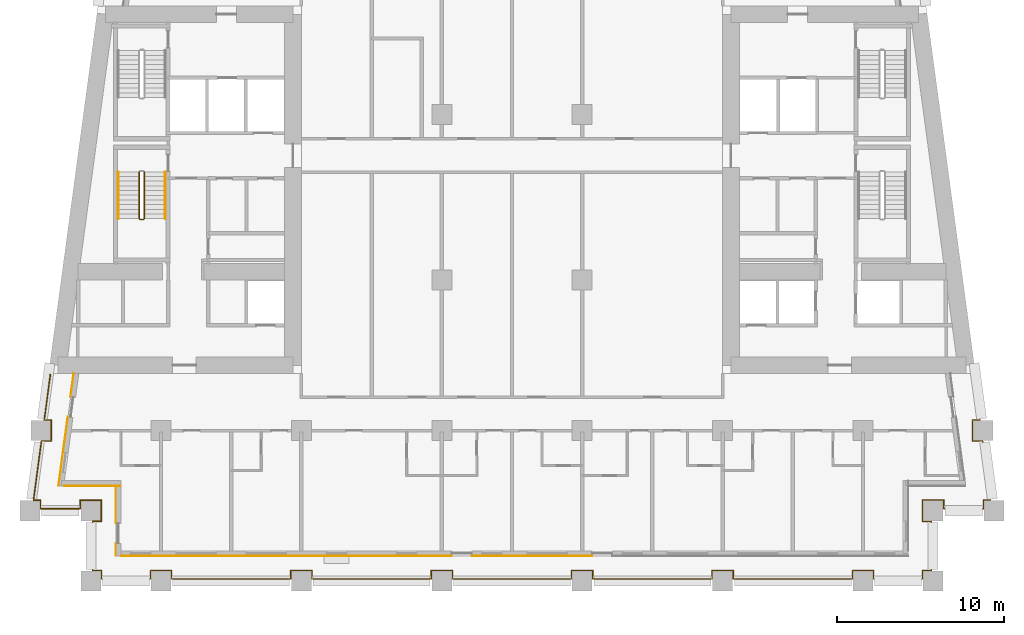
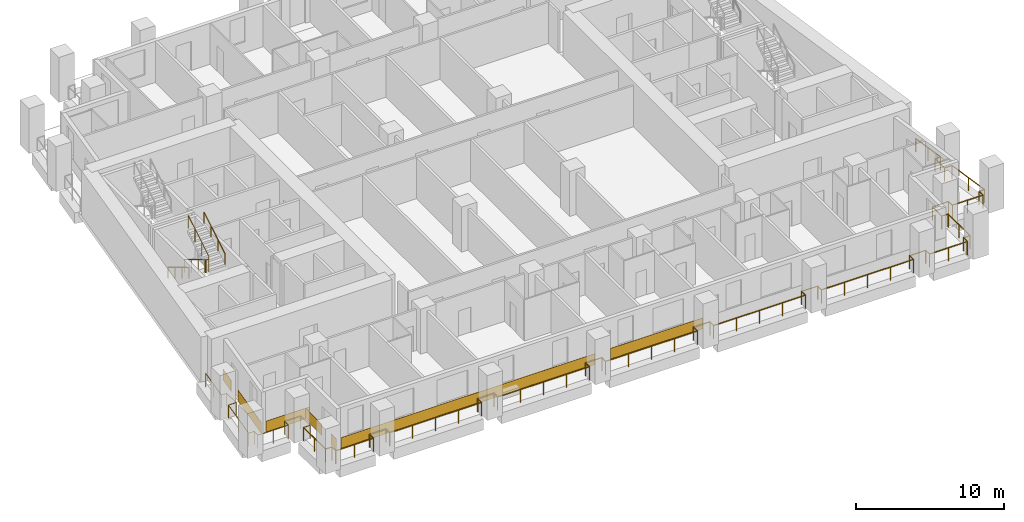
# One storey, part 9 of 13: 7 coverings, 5 railings.
"""IFC4 building model written with IfcOpenShell, lengths in metres."""

from ifc_helpers import new_model, si_unit, direction, frame, origin, origin_2d, place, context, subcontext, project, spatial, rectangle, circle, extrude, material, layer, layer_set, type_object, element, save


model = new_model("IFC4")

# Units and contexts
model_context = context("Model", 3, precision=1e-05, world=origin(), true_north=direction((0.0, 1.0)))
body_context = subcontext(model_context, "Body", "Model", "MODEL_VIEW")
ifc_project = project(units=[si_unit("LENGTHUNIT", "METRE"), si_unit("AREAUNIT", "SQUARE_METRE"), si_unit("VOLUMEUNIT", "CUBIC_METRE"), si_unit("PLANEANGLEUNIT", "RADIAN"), si_unit("MASSUNIT", "GRAM", prefix="KILO")], contexts=[model_context])

# Site, building, storey
site_placement = place(None, origin())
site = spatial("IfcSite", under=ifc_project, at=site_placement, CompositionType="ELEMENT")
building_placement = place(site_placement, origin())
building = spatial("IfcBuilding", under=site, at=building_placement, Name="Candeia Pilgrim Tower and Theatre", CompositionType="ELEMENT")
storey_placement = place(building_placement, frame((0.0, 0.0, 91.0)))
storey = spatial("IfcBuildingStorey", under=building, at=storey_placement, Name="L20", CompositionType="ELEMENT", Elevation=91.0)

# Railings
ifc_material_1 = material(Name="Stainless steel balustrade", Category="steel")
railing_type_1 = type_object("IfcRailingType", Name="G1 loggia guard 1100", PredefinedType="GUARDRAIL", material=ifc_material_1)
railing_1_placement = place(storey_placement, frame((88.320068359375, 101.570068359375, 0.0)))
element("IfcRailing", 1, at=railing_1_placement, inside=storey, type_object=railing_type_1, Name="Guard L20.1", PredefinedType="GUARDRAIL", context=body_context, shape_type="SweptSolid", body=[
    extrude(circle(Radius=0.02392578125, at=origin_2d()), frame((0.0, 0.0, 1.076171875), z_axis=(1.0, 0.0, 0.0), x_axis=(0.0, 1.0, 0.0)), (0.0, 0.0, 1.0), 0.510009765625),
    extrude(circle(Radius=0.02392578125, at=origin_2d()), frame((0.510009765625, 0.0, 1.076171875), z_axis=(0.0, 1.0, 0.0), x_axis=(-1.0, 0.0, 0.0)), (0.0, 0.0, 1.0), 1.260009765625),
    extrude(circle(Radius=0.02392578125, at=origin_2d()), frame((0.510009765625, 1.260009765625, 1.076171875), z_axis=(-1.0, 0.0, 0.0), x_axis=(0.0, -1.0, 0.0)), (0.0, 0.0, 1.0), 1.260009765625),
    extrude(circle(Radius=0.02392578125, at=origin_2d()), frame((-0.75, 1.260009765625, 1.076171875), z_axis=(0.0, -1.0, 0.0), x_axis=(1.0, 0.0, 0.0)), (0.0, 0.0, 1.0), 0.510009765625),
    extrude(circle(Radius=0.02392578125, at=origin_2d()), frame((-0.75, 0.75, 1.076171875), z_axis=(-1.0, 0.0, 0.0), x_axis=(0.0, -1.0, 0.0)), (0.0, 0.0, 1.0), 2.374755859375),
    extrude(circle(Radius=0.02392578125, at=origin_2d()), frame((-3.124755859375, 0.75, 1.076171875), z_axis=(0.0, 1.0, 0.0), x_axis=(-1.0, 0.0, 0.0)), (0.0, 0.0, 1.0), 0.510009765625),
    extrude(circle(Radius=0.02392578125, at=origin_2d()), frame((-3.124755859375, 1.260009765625, 1.076171875), z_axis=(-1.0, 0.0, 0.0), x_axis=(0.0, -1.0, 0.0)), (0.0, 0.0, 1.0), 0.424072265625),
    extrude(circle(Radius=0.02392578125, at=origin_2d()), frame((-3.548828125, 1.260009765625, 1.076171875), z_axis=(0.133417176173, 0.991059966451, 0.0), x_axis=(-0.991059966451, 0.133417176173, 0.0)), (0.0, 0.0, 1.0), 3.572021484375),
    extrude(circle(Radius=0.02392578125, at=origin_2d()), frame((-3.072265625, 4.800048828125, 1.076171875), z_axis=(1.0, 0.0, 0.0), x_axis=(0.0, 1.0, 0.0)), (0.0, 0.0, 1.0), 0.59375),
    extrude(circle(Radius=0.02392578125, at=origin_2d()), frame((-2.478515625, 4.800048828125, 1.076171875), z_axis=(0.0, 1.0, 0.0), x_axis=(-1.0, 0.0, 0.0)), (0.0, 0.0, 1.0), 1.259765625),
    extrude(circle(Radius=0.02392578125, at=origin_2d()), frame((-2.478515625, 6.059814453125, 1.076171875), z_axis=(-1.0, 0.0, 0.0), x_axis=(0.0, -1.0, 0.0)), (0.0, 0.0, 1.0), 0.424072265625),
    extrude(circle(Radius=0.02392578125, at=origin_2d()), frame((-2.902587890625, 6.059814453125, 1.076171875), z_axis=(0.1334220927, 0.991059304572, 0.0), x_axis=(-0.991059304572, 0.1334220927, 0.0)), (0.0, 0.0, 1.0), 2.744873046875),
    extrude(circle(Radius=0.02099609375, at=origin_2d()), origin(), (0.0, 0.0, 1.0), 1.052001953125),
    extrude(circle(Radius=0.02099609375, at=origin_2d()), frame((0.510009765625, 0.0, 0.0)), (0.0, 0.0, 1.0), 1.052001953125),
    extrude(circle(Radius=0.02099609375, at=origin_2d()), frame((0.510009765625, 1.260009765625, 0.0)), (0.0, 0.0, 1.0), 1.052001953125),
    extrude(circle(Radius=0.02099609375, at=origin_2d()), frame((-0.75, 1.260009765625, 0.0)), (0.0, 0.0, 1.0), 1.052001953125),
    extrude(circle(Radius=0.02099609375, at=origin_2d()), frame((-0.75, 0.75, 0.0)), (0.0, 0.0, 1.0), 1.052001953125),
    extrude(circle(Radius=0.02099609375, at=origin_2d()), frame((-1.9375, 0.75, 0.0)), (0.0, 0.0, 1.0), 1.052001953125),
    extrude(circle(Radius=0.02099609375, at=origin_2d()), frame((-3.124755859375, 0.75, 0.0)), (0.0, 0.0, 1.0), 1.052001953125),
    extrude(circle(Radius=0.02099609375, at=origin_2d()), frame((-3.124755859375, 1.260009765625, 0.0)), (0.0, 0.0, 1.0), 1.052001953125),
    extrude(circle(Radius=0.02099609375, at=origin_2d()), frame((-3.548828125, 1.260009765625, 0.0)), (0.0, 0.0, 1.0), 1.052001953125),
    extrude(circle(Radius=0.02099609375, at=origin_2d()), frame((-3.310546875, 3.030029296875, 0.0)), (0.0, 0.0, 1.0), 1.052001953125),
    extrude(circle(Radius=0.02099609375, at=origin_2d()), frame((-3.072265625, 4.800048828125, 0.0)), (0.0, 0.0, 1.0), 1.052001953125),
    extrude(circle(Radius=0.02099609375, at=origin_2d()), frame((-2.478515625, 4.800048828125, 0.0)), (0.0, 0.0, 1.0), 1.052001953125),
    extrude(circle(Radius=0.02099609375, at=origin_2d()), frame((-2.478515625, 6.059814453125, 0.0)), (0.0, 0.0, 1.0), 1.052001953125),
    extrude(circle(Radius=0.02099609375, at=origin_2d()), frame((-2.902587890625, 6.059814453125, 0.0)), (0.0, 0.0, 1.0), 1.052001953125),
    extrude(circle(Radius=0.02099609375, at=origin_2d()), frame((-2.719482421875, 7.419921875, 0.0)), (0.0, 0.0, 1.0), 1.052001953125),
    extrude(circle(Radius=0.02099609375, at=origin_2d()), frame((-2.536376953125, 8.780029296875, 0.0)), (0.0, 0.0, 1.0), 1.052001953125),
])
railing_2_placement = place(storey_placement, frame((141.016357421875, 110.35009765625, 0.0)))
element("IfcRailing", 2, at=railing_2_placement, inside=storey, type_object=railing_type_1, Name="Guard L20.4", PredefinedType="GUARDRAIL", context=body_context, shape_type="SweptSolid", body=[
    extrude(circle(Radius=0.02392578125, at=origin_2d()), frame((0.0, 0.0, 1.076171875), z_axis=(0.1334220927, -0.991059304572, 0.0), x_axis=(0.991059304572, 0.1334220927, 0.0)), (0.0, 0.0, 1.0), 2.744873046875),
    extrude(circle(Radius=0.02392578125, at=origin_2d()), frame((0.3662109375, -2.72021484375, 1.076171875), z_axis=(-1.0, 0.0, 0.0), x_axis=(0.0, -1.0, 0.0)), (0.0, 0.0, 1.0), 0.424072265625),
    extrude(circle(Radius=0.02392578125, at=origin_2d()), frame((-0.057861328125, -2.72021484375, 1.076171875), z_axis=(0.0, -1.0, 0.0), x_axis=(1.0, 0.0, 0.0)), (0.0, 0.0, 1.0), 1.259765625),
    extrude(circle(Radius=0.02392578125, at=origin_2d()), frame((-0.057861328125, -3.97998046875, 1.076171875), z_axis=(1.0, 0.0, 0.0), x_axis=(0.0, 1.0, 0.0)), (0.0, 0.0, 1.0), 0.59375),
    extrude(circle(Radius=0.02392578125, at=origin_2d()), frame((0.535888671875, -3.97998046875, 1.076171875), z_axis=(0.133417176173, -0.991059966451, 0.0), x_axis=(0.991059966451, 0.133417176173, 0.0)), (0.0, 0.0, 1.0), 3.572021484375),
    extrude(circle(Radius=0.02392578125, at=origin_2d()), frame((1.012451171875, -7.52001953125, 1.076171875), z_axis=(-1.0, 0.0, 0.0), x_axis=(0.0, -1.0, 0.0)), (0.0, 0.0, 1.0), 0.424072265625),
    extrude(circle(Radius=0.02392578125, at=origin_2d()), frame((0.58837890625, -7.52001953125, 1.076171875), z_axis=(0.0, -1.0, 0.0), x_axis=(1.0, 0.0, 0.0)), (0.0, 0.0, 1.0), 0.510009765625),
    extrude(circle(Radius=0.02392578125, at=origin_2d()), frame((0.58837890625, -8.030029296875, 1.076171875), z_axis=(-1.0, 0.0, 0.0), x_axis=(0.0, -1.0, 0.0)), (0.0, 0.0, 1.0), 2.374755859375),
    extrude(circle(Radius=0.02392578125, at=origin_2d()), frame((-1.786376953125, -8.030029296875, 1.076171875), z_axis=(0.0, 1.0, 0.0), x_axis=(-1.0, 0.0, 0.0)), (0.0, 0.0, 1.0), 0.510009765625),
    extrude(circle(Radius=0.02392578125, at=origin_2d()), frame((-1.786376953125, -7.52001953125, 1.076171875), z_axis=(-1.0, 0.0, 0.0), x_axis=(0.0, -1.0, 0.0)), (0.0, 0.0, 1.0), 1.260009765625),
    extrude(circle(Radius=0.02392578125, at=origin_2d()), frame((-3.04638671875, -7.52001953125, 1.076171875), z_axis=(0.0, -1.0, 0.0), x_axis=(1.0, 0.0, 0.0)), (0.0, 0.0, 1.0), 1.260009765625),
    extrude(circle(Radius=0.02392578125, at=origin_2d()), frame((-3.04638671875, -8.780029296875, 1.076171875), z_axis=(1.0, 0.0, 0.0), x_axis=(0.0, 1.0, 0.0)), (0.0, 0.0, 1.0), 0.510009765625),
    extrude(circle(Radius=0.02392578125, at=origin_2d()), frame((-2.536376953125, -8.780029296875, 1.076171875), z_axis=(0.0, -1.0, 0.0), x_axis=(1.0, 0.0, 0.0)), (0.0, 0.0, 1.0), 2.940185546875),
    extrude(circle(Radius=0.02392578125, at=origin_2d()), frame((-2.536376953125, -11.72021484375, 1.076171875), z_axis=(-1.0, 0.0, 0.0), x_axis=(0.0, -1.0, 0.0)), (0.0, 0.0, 1.0), 0.510009765625),
    extrude(circle(Radius=0.02392578125, at=origin_2d()), frame((-3.04638671875, -11.72021484375, 1.076171875), z_axis=(0.0, -1.0, 0.0), x_axis=(1.0, 0.0, 0.0)), (0.0, 0.0, 1.0), 0.509765625),
    extrude(circle(Radius=0.02392578125, at=origin_2d()), frame((-3.04638671875, -12.22998046875, 1.076171875), z_axis=(-1.0, 0.0, 0.0), x_axis=(0.0, -1.0, 0.0)), (0.0, 0.0, 1.0), 2.93994140625),
    extrude(circle(Radius=0.02392578125, at=origin_2d()), frame((-5.986328125, -12.22998046875, 1.076171875), z_axis=(0.0, 1.0, 0.0), x_axis=(-1.0, 0.0, 0.0)), (0.0, 0.0, 1.0), 0.509765625),
    extrude(circle(Radius=0.02392578125, at=origin_2d()), frame((-5.986328125, -11.72021484375, 1.076171875), z_axis=(-1.0, 0.0, 0.0), x_axis=(0.0, -1.0, 0.0)), (0.0, 0.0, 1.0), 1.260009765625),
    extrude(circle(Radius=0.02392578125, at=origin_2d()), frame((-7.246337890625, -11.72021484375, 1.076171875), z_axis=(0.0, -1.0, 0.0), x_axis=(1.0, 0.0, 0.0)), (0.0, 0.0, 1.0), 0.509765625),
    extrude(circle(Radius=0.02392578125, at=origin_2d()), frame((-7.246337890625, -12.22998046875, 1.076171875), z_axis=(-1.0, 0.0, 0.0), x_axis=(0.0, -1.0, 0.0)), (0.0, 0.0, 1.0), 7.14013671875),
    extrude(circle(Radius=0.02392578125, at=origin_2d()), frame((-14.386474609375, -12.22998046875, 1.076171875), z_axis=(0.0, 1.0, 0.0), x_axis=(-1.0, 0.0, 0.0)), (0.0, 0.0, 1.0), 0.509765625),
    extrude(circle(Radius=0.02392578125, at=origin_2d()), frame((-14.386474609375, -11.72021484375, 1.076171875), z_axis=(-1.0, 0.0, 0.0), x_axis=(0.0, -1.0, 0.0)), (0.0, 0.0, 1.0), 1.259765625),
    extrude(circle(Radius=0.02392578125, at=origin_2d()), frame((-15.646240234375, -11.72021484375, 1.076171875), z_axis=(0.0, -1.0, 0.0), x_axis=(1.0, 0.0, 0.0)), (0.0, 0.0, 1.0), 0.509765625),
    extrude(circle(Radius=0.02392578125, at=origin_2d()), frame((-15.646240234375, -12.22998046875, 1.076171875), z_axis=(-1.0, 0.0, 0.0), x_axis=(0.0, -1.0, 0.0)), (0.0, 0.0, 1.0), 7.14013671875),
    extrude(circle(Radius=0.02392578125, at=origin_2d()), frame((-22.786376953125, -12.22998046875, 1.076171875), z_axis=(0.0, 1.0, 0.0), x_axis=(-1.0, 0.0, 0.0)), (0.0, 0.0, 1.0), 0.509765625),
    extrude(circle(Radius=0.02392578125, at=origin_2d()), frame((-22.786376953125, -11.72021484375, 1.076171875), z_axis=(-1.0, 0.0, 0.0), x_axis=(0.0, -1.0, 0.0)), (0.0, 0.0, 1.0), 1.260009765625),
    extrude(circle(Radius=0.02392578125, at=origin_2d()), frame((-24.04638671875, -11.72021484375, 1.076171875), z_axis=(0.0, -1.0, 0.0), x_axis=(1.0, 0.0, 0.0)), (0.0, 0.0, 1.0), 0.509765625),
    extrude(circle(Radius=0.02392578125, at=origin_2d()), frame((-24.04638671875, -12.22998046875, 1.076171875), z_axis=(-1.0, 0.0, 0.0), x_axis=(0.0, -1.0, 0.0)), (0.0, 0.0, 1.0), 7.139892578125),
    extrude(circle(Radius=0.02392578125, at=origin_2d()), frame((-31.186279296875, -12.22998046875, 1.076171875), z_axis=(0.0, 1.0, 0.0), x_axis=(-1.0, 0.0, 0.0)), (0.0, 0.0, 1.0), 0.509765625),
    extrude(circle(Radius=0.02392578125, at=origin_2d()), frame((-31.186279296875, -11.72021484375, 1.076171875), z_axis=(-1.0, 0.0, 0.0), x_axis=(0.0, -1.0, 0.0)), (0.0, 0.0, 1.0), 1.260009765625),
    extrude(circle(Radius=0.02392578125, at=origin_2d()), frame((-32.4462890625, -11.72021484375, 1.076171875), z_axis=(0.0, -1.0, 0.0), x_axis=(1.0, 0.0, 0.0)), (0.0, 0.0, 1.0), 0.509765625),
    extrude(circle(Radius=0.02392578125, at=origin_2d()), frame((-32.4462890625, -12.22998046875, 1.076171875), z_axis=(-1.0, 0.0, 0.0), x_axis=(0.0, -1.0, 0.0)), (0.0, 0.0, 1.0), 7.14013671875),
    extrude(circle(Radius=0.02392578125, at=origin_2d()), frame((-39.58642578125, -12.22998046875, 1.076171875), z_axis=(0.0, 1.0, 0.0), x_axis=(-1.0, 0.0, 0.0)), (0.0, 0.0, 1.0), 0.509765625),
    extrude(circle(Radius=0.02392578125, at=origin_2d()), frame((-39.58642578125, -11.72021484375, 1.076171875), z_axis=(-1.0, 0.0, 0.0), x_axis=(0.0, -1.0, 0.0)), (0.0, 0.0, 1.0), 1.260009765625),
    extrude(circle(Radius=0.02392578125, at=origin_2d()), frame((-40.846435546875, -11.72021484375, 1.076171875), z_axis=(0.0, -1.0, 0.0), x_axis=(1.0, 0.0, 0.0)), (0.0, 0.0, 1.0), 0.509765625),
    extrude(circle(Radius=0.02392578125, at=origin_2d()), frame((-40.846435546875, -12.22998046875, 1.076171875), z_axis=(-1.0, 0.0, 0.0), x_axis=(0.0, -1.0, 0.0)), (0.0, 0.0, 1.0), 7.139892578125),
    extrude(circle(Radius=0.02392578125, at=origin_2d()), frame((-47.986328125, -12.22998046875, 1.076171875), z_axis=(0.0, 1.0, 0.0), x_axis=(-1.0, 0.0, 0.0)), (0.0, 0.0, 1.0), 0.509765625),
    extrude(circle(Radius=0.02392578125, at=origin_2d()), frame((-47.986328125, -11.72021484375, 1.076171875), z_axis=(-1.0, 0.0, 0.0), x_axis=(0.0, -1.0, 0.0)), (0.0, 0.0, 1.0), 1.260009765625),
    extrude(circle(Radius=0.02392578125, at=origin_2d()), frame((-49.246337890625, -11.72021484375, 1.076171875), z_axis=(0.0, -1.0, 0.0), x_axis=(1.0, 0.0, 0.0)), (0.0, 0.0, 1.0), 0.509765625),
    extrude(circle(Radius=0.02392578125, at=origin_2d()), frame((-49.246337890625, -12.22998046875, 1.076171875), z_axis=(-1.0, 0.0, 0.0), x_axis=(0.0, -1.0, 0.0)), (0.0, 0.0, 1.0), 2.93994140625),
    extrude(circle(Radius=0.02392578125, at=origin_2d()), frame((-52.186279296875, -12.22998046875, 1.076171875), z_axis=(0.0, 1.0, 0.0), x_axis=(-1.0, 0.0, 0.0)), (0.0, 0.0, 1.0), 0.509765625),
    extrude(circle(Radius=0.02392578125, at=origin_2d()), frame((-52.186279296875, -11.72021484375, 1.076171875), z_axis=(-1.0, 0.0, 0.0), x_axis=(0.0, -1.0, 0.0)), (0.0, 0.0, 1.0), 0.510009765625),
    extrude(circle(Radius=0.02392578125, at=origin_2d()), frame((-52.6962890625, -11.72021484375, 1.076171875), z_axis=(0.0, 1.0, 0.0), x_axis=(-1.0, 0.0, 0.0)), (0.0, 0.0, 1.0), 2.940185546875),
    extrude(circle(Radius=0.02099609375, at=origin_2d()), origin(), (0.0, 0.0, 1.0), 1.052001953125),
    extrude(circle(Radius=0.02099609375, at=origin_2d()), frame((0.18310546875, -1.360107421875, 0.0)), (0.0, 0.0, 1.0), 1.052001953125),
    extrude(circle(Radius=0.02099609375, at=origin_2d()), frame((0.3662109375, -2.72021484375, 0.0)), (0.0, 0.0, 1.0), 1.052001953125),
    extrude(circle(Radius=0.02099609375, at=origin_2d()), frame((-0.057861328125, -2.72021484375, 0.0)), (0.0, 0.0, 1.0), 1.052001953125),
    extrude(circle(Radius=0.02099609375, at=origin_2d()), frame((-0.057861328125, -3.97998046875, 0.0)), (0.0, 0.0, 1.0), 1.052001953125),
    extrude(circle(Radius=0.02099609375, at=origin_2d()), frame((0.535888671875, -3.97998046875, 0.0)), (0.0, 0.0, 1.0), 1.052001953125),
    extrude(circle(Radius=0.02099609375, at=origin_2d()), frame((0.774169921875, -5.75, 0.0)), (0.0, 0.0, 1.0), 1.052001953125),
    extrude(circle(Radius=0.02099609375, at=origin_2d()), frame((1.012451171875, -7.52001953125, 0.0)), (0.0, 0.0, 1.0), 1.052001953125),
    extrude(circle(Radius=0.02099609375, at=origin_2d()), frame((0.58837890625, -7.52001953125, 0.0)), (0.0, 0.0, 1.0), 1.052001953125),
    extrude(circle(Radius=0.02099609375, at=origin_2d()), frame((0.58837890625, -8.030029296875, 0.0)), (0.0, 0.0, 1.0), 1.052001953125),
    extrude(circle(Radius=0.02099609375, at=origin_2d()), frame((-0.59912109375, -8.030029296875, 0.0)), (0.0, 0.0, 1.0), 1.052001953125),
    extrude(circle(Radius=0.02099609375, at=origin_2d()), frame((-1.786376953125, -8.030029296875, 0.0)), (0.0, 0.0, 1.0), 1.052001953125),
    extrude(circle(Radius=0.02099609375, at=origin_2d()), frame((-1.786376953125, -7.52001953125, 0.0)), (0.0, 0.0, 1.0), 1.052001953125),
    extrude(circle(Radius=0.02099609375, at=origin_2d()), frame((-3.04638671875, -7.52001953125, 0.0)), (0.0, 0.0, 1.0), 1.052001953125),
    extrude(circle(Radius=0.02099609375, at=origin_2d()), frame((-3.04638671875, -8.780029296875, 0.0)), (0.0, 0.0, 1.0), 1.052001953125),
    extrude(circle(Radius=0.02099609375, at=origin_2d()), frame((-2.536376953125, -8.780029296875, 0.0)), (0.0, 0.0, 1.0), 1.052001953125),
    extrude(circle(Radius=0.02099609375, at=origin_2d()), frame((-2.536376953125, -10.25, 0.0)), (0.0, 0.0, 1.0), 1.052001953125),
    extrude(circle(Radius=0.02099609375, at=origin_2d()), frame((-2.536376953125, -11.72021484375, 0.0)), (0.0, 0.0, 1.0), 1.052001953125),
    extrude(circle(Radius=0.02099609375, at=origin_2d()), frame((-3.04638671875, -11.72021484375, 0.0)), (0.0, 0.0, 1.0), 1.052001953125),
    extrude(circle(Radius=0.02099609375, at=origin_2d()), frame((-3.04638671875, -12.22998046875, 0.0)), (0.0, 0.0, 1.0), 1.052001953125),
    extrude(circle(Radius=0.02099609375, at=origin_2d()), frame((-4.516357421875, -12.22998046875, 0.0)), (0.0, 0.0, 1.0), 1.052001953125),
    extrude(circle(Radius=0.02099609375, at=origin_2d()), frame((-5.986328125, -12.22998046875, 0.0)), (0.0, 0.0, 1.0), 1.052001953125),
    extrude(circle(Radius=0.02099609375, at=origin_2d()), frame((-5.986328125, -11.72021484375, 0.0)), (0.0, 0.0, 1.0), 1.052001953125),
    extrude(circle(Radius=0.02099609375, at=origin_2d()), frame((-7.246337890625, -11.72021484375, 0.0)), (0.0, 0.0, 1.0), 1.052001953125),
    extrude(circle(Radius=0.02099609375, at=origin_2d()), frame((-7.246337890625, -12.22998046875, 0.0)), (0.0, 0.0, 1.0), 1.052001953125),
    extrude(circle(Radius=0.02099609375, at=origin_2d()), frame((-9.03125, -12.22998046875, 0.0)), (0.0, 0.0, 1.0), 1.052001953125),
    extrude(circle(Radius=0.02099609375, at=origin_2d()), frame((-10.81640625, -12.22998046875, 0.0)), (0.0, 0.0, 1.0), 1.052001953125),
    extrude(circle(Radius=0.02099609375, at=origin_2d()), frame((-12.6015625, -12.22998046875, 0.0)), (0.0, 0.0, 1.0), 1.052001953125),
    extrude(circle(Radius=0.02099609375, at=origin_2d()), frame((-14.386474609375, -12.22998046875, 0.0)), (0.0, 0.0, 1.0), 1.052001953125),
    extrude(circle(Radius=0.02099609375, at=origin_2d()), frame((-14.386474609375, -11.72021484375, 0.0)), (0.0, 0.0, 1.0), 1.052001953125),
    extrude(circle(Radius=0.02099609375, at=origin_2d()), frame((-15.646240234375, -11.72021484375, 0.0)), (0.0, 0.0, 1.0), 1.052001953125),
    extrude(circle(Radius=0.02099609375, at=origin_2d()), frame((-15.646240234375, -12.22998046875, 0.0)), (0.0, 0.0, 1.0), 1.052001953125),
    extrude(circle(Radius=0.02099609375, at=origin_2d()), frame((-17.43115234375, -12.22998046875, 0.0)), (0.0, 0.0, 1.0), 1.052001953125),
    extrude(circle(Radius=0.02099609375, at=origin_2d()), frame((-19.21630859375, -12.22998046875, 0.0)), (0.0, 0.0, 1.0), 1.052001953125),
    extrude(circle(Radius=0.02099609375, at=origin_2d()), frame((-21.00146484375, -12.22998046875, 0.0)), (0.0, 0.0, 1.0), 1.052001953125),
    extrude(circle(Radius=0.02099609375, at=origin_2d()), frame((-22.786376953125, -12.22998046875, 0.0)), (0.0, 0.0, 1.0), 1.052001953125),
    extrude(circle(Radius=0.02099609375, at=origin_2d()), frame((-22.786376953125, -11.72021484375, 0.0)), (0.0, 0.0, 1.0), 1.052001953125),
    extrude(circle(Radius=0.02099609375, at=origin_2d()), frame((-24.04638671875, -11.72021484375, 0.0)), (0.0, 0.0, 1.0), 1.052001953125),
    extrude(circle(Radius=0.02099609375, at=origin_2d()), frame((-24.04638671875, -12.22998046875, 0.0)), (0.0, 0.0, 1.0), 1.052001953125),
    extrude(circle(Radius=0.02099609375, at=origin_2d()), frame((-25.831298828125, -12.22998046875, 0.0)), (0.0, 0.0, 1.0), 1.052001953125),
    extrude(circle(Radius=0.02099609375, at=origin_2d()), frame((-27.6162109375, -12.22998046875, 0.0)), (0.0, 0.0, 1.0), 1.052001953125),
    extrude(circle(Radius=0.02099609375, at=origin_2d()), frame((-29.4013671875, -12.22998046875, 0.0)), (0.0, 0.0, 1.0), 1.052001953125),
    extrude(circle(Radius=0.02099609375, at=origin_2d()), frame((-31.186279296875, -12.22998046875, 0.0)), (0.0, 0.0, 1.0), 1.052001953125),
    extrude(circle(Radius=0.02099609375, at=origin_2d()), frame((-31.186279296875, -11.72021484375, 0.0)), (0.0, 0.0, 1.0), 1.052001953125),
    extrude(circle(Radius=0.02099609375, at=origin_2d()), frame((-32.4462890625, -11.72021484375, 0.0)), (0.0, 0.0, 1.0), 1.052001953125),
    extrude(circle(Radius=0.02099609375, at=origin_2d()), frame((-32.4462890625, -12.22998046875, 0.0)), (0.0, 0.0, 1.0), 1.052001953125),
    extrude(circle(Radius=0.02099609375, at=origin_2d()), frame((-34.2314453125, -12.22998046875, 0.0)), (0.0, 0.0, 1.0), 1.052001953125),
    extrude(circle(Radius=0.02099609375, at=origin_2d()), frame((-36.016357421875, -12.22998046875, 0.0)), (0.0, 0.0, 1.0), 1.052001953125),
    extrude(circle(Radius=0.02099609375, at=origin_2d()), frame((-37.80126953125, -12.22998046875, 0.0)), (0.0, 0.0, 1.0), 1.052001953125),
    extrude(circle(Radius=0.02099609375, at=origin_2d()), frame((-39.58642578125, -12.22998046875, 0.0)), (0.0, 0.0, 1.0), 1.052001953125),
    extrude(circle(Radius=0.02099609375, at=origin_2d()), frame((-39.58642578125, -11.72021484375, 0.0)), (0.0, 0.0, 1.0), 1.052001953125),
    extrude(circle(Radius=0.02099609375, at=origin_2d()), frame((-40.846435546875, -11.72021484375, 0.0)), (0.0, 0.0, 1.0), 1.052001953125),
    extrude(circle(Radius=0.02099609375, at=origin_2d()), frame((-40.846435546875, -12.22998046875, 0.0)), (0.0, 0.0, 1.0), 1.052001953125),
    extrude(circle(Radius=0.02099609375, at=origin_2d()), frame((-42.63134765625, -12.22998046875, 0.0)), (0.0, 0.0, 1.0), 1.052001953125),
    extrude(circle(Radius=0.02099609375, at=origin_2d()), frame((-44.41650390625, -12.22998046875, 0.0)), (0.0, 0.0, 1.0), 1.052001953125),
    extrude(circle(Radius=0.02099609375, at=origin_2d()), frame((-46.201416015625, -12.22998046875, 0.0)), (0.0, 0.0, 1.0), 1.052001953125),
    extrude(circle(Radius=0.02099609375, at=origin_2d()), frame((-47.986328125, -12.22998046875, 0.0)), (0.0, 0.0, 1.0), 1.052001953125),
    extrude(circle(Radius=0.02099609375, at=origin_2d()), frame((-47.986328125, -11.72021484375, 0.0)), (0.0, 0.0, 1.0), 1.052001953125),
    extrude(circle(Radius=0.02099609375, at=origin_2d()), frame((-49.246337890625, -11.72021484375, 0.0)), (0.0, 0.0, 1.0), 1.052001953125),
    extrude(circle(Radius=0.02099609375, at=origin_2d()), frame((-49.246337890625, -12.22998046875, 0.0)), (0.0, 0.0, 1.0), 1.052001953125),
    extrude(circle(Radius=0.02099609375, at=origin_2d()), frame((-50.71630859375, -12.22998046875, 0.0)), (0.0, 0.0, 1.0), 1.052001953125),
    extrude(circle(Radius=0.02099609375, at=origin_2d()), frame((-52.186279296875, -12.22998046875, 0.0)), (0.0, 0.0, 1.0), 1.052001953125),
    extrude(circle(Radius=0.02099609375, at=origin_2d()), frame((-52.186279296875, -11.72021484375, 0.0)), (0.0, 0.0, 1.0), 1.052001953125),
    extrude(circle(Radius=0.02099609375, at=origin_2d()), frame((-52.6962890625, -11.72021484375, 0.0)), (0.0, 0.0, 1.0), 1.052001953125),
    extrude(circle(Radius=0.02099609375, at=origin_2d()), frame((-52.6962890625, -10.25, 0.0)), (0.0, 0.0, 1.0), 1.052001953125),
    extrude(circle(Radius=0.02099609375, at=origin_2d()), frame((-52.6962890625, -8.780029296875, 0.0)), (0.0, 0.0, 1.0), 1.052001953125),
])

# Coverings
ifc_material_2 = material(Name="Glazed ceramic tile red")
ifc_layer = layer(ifc_material_2, 0.02001953125)
ifc_layer_set = layer_set([ifc_layer], Name="Glazed ceramic tile red")
covering_type = type_object("IfcCoveringType", Name="Glazed ceramic tile red", PredefinedType="CLADDING", material=ifc_layer_set)
covering_1_placement = place(storey_placement, frame((99.909912109375, 99.489990234375, 0.0), z_axis=(0.0, 0.0, 1.0), x_axis=(1.0, 0.0, 0.0)))
element("IfcCovering", 3, at=covering_1_placement, inside=storey, type_object=covering_type, Name="Tile cladding red L20", PredefinedType="CLADDING", context=body_context, shape_type="SweptSolid", body=[
    extrude(rectangle(XDim=19.780029296875, YDim=0.02001953125, at=origin_2d()), origin(), (0.0, 0.0, 1.0), 0.89990234375),
])
covering_2_placement = place(storey_placement, frame((114.60009765625, 99.489990234375, 0.0), z_axis=(0.0, 0.0, 1.0), x_axis=(1.0, 0.0, 0.0)))
element("IfcCovering", 4, at=covering_2_placement, inside=storey, type_object=covering_type, Name="Tile cladding red L20", PredefinedType="CLADDING", context=body_context, shape_type="SweptSolid", body=[
    extrude(rectangle(XDim=7.199951171875, YDim=0.02001953125, at=origin_2d()), origin(), (0.0, 0.0, 1.0), 0.89990234375),
])
covering_3_placement = place(storey_placement, frame((87.0810546875, 109.71875, 0.0), z_axis=(0.0, 0.0, 1.0), x_axis=(-0.133412012145, -0.991060661622, 0.0)))
element("IfcCovering", 5, at=covering_3_placement, inside=storey, type_object=covering_type, Name="Tile cladding red L20", PredefinedType="CLADDING", context=body_context, shape_type="SweptSolid", body=[
    extrude(rectangle(XDim=1.41796875, YDim=0.02001953125, at=origin_2d()), origin(), (0.0, 0.0, 1.0), 0.89990234375),
])
covering_4_placement = place(storey_placement, frame((86.548583984375, 105.763916015625, 0.0), z_axis=(0.0, 0.0, 1.0), x_axis=(-0.133412012145, -0.991060661622, 0.0)))
element("IfcCovering", 6, at=covering_4_placement, inside=storey, type_object=covering_type, Name="Tile cladding red L20", PredefinedType="CLADDING", context=body_context, shape_type="SweptSolid", body=[
    extrude(rectangle(XDim=4.16259765625, YDim=0.02001953125, at=origin_2d()), origin(), (0.0, 0.0, 1.0), 0.89990234375),
])
covering_5_placement = place(storey_placement, frame((88.311279296875, 103.68994140625, 0.0), z_axis=(0.0, 0.0, 1.0), x_axis=(1.0, 0.0, 0.0)))
element("IfcCovering", 7, at=covering_5_placement, inside=storey, type_object=covering_type, Name="Tile cladding red L20", PredefinedType="CLADDING", context=body_context, shape_type="SweptSolid", body=[
    extrude(rectangle(XDim=3.377685546875, YDim=0.02001953125, at=origin_2d()), origin(), (0.0, 0.0, 1.0), 0.89990234375),
])
covering_6_placement = place(storey_placement, frame((89.68994140625, 102.56494140625, 0.0), z_axis=(0.0, 0.0, 1.0), x_axis=(0.0, -1.0, 0.0)))
element("IfcCovering", 8, at=covering_6_placement, inside=storey, type_object=covering_type, Name="Tile cladding red L20", PredefinedType="CLADDING", context=body_context, shape_type="SweptSolid", body=[
    extrude(rectangle(XDim=2.22998046875, YDim=0.02001953125, at=origin_2d()), origin(), (0.0, 0.0, 1.0), 0.89990234375),
])
covering_7_placement = place(storey_placement, frame((89.68994140625, 99.875, 0.0), z_axis=(0.0, 0.0, 1.0), x_axis=(0.0, -1.0, 0.0)))
element("IfcCovering", 9, at=covering_7_placement, inside=storey, type_object=covering_type, Name="Tile cladding red L20", PredefinedType="CLADDING", context=body_context, shape_type="SweptSolid", body=[
    extrude(rectangle(XDim=0.75, YDim=0.02001953125, at=origin_2d()), origin(), (0.0, 0.0, 1.0), 0.89990234375),
])

# Railings
railing_type_2 = type_object("IfcRailingType", Name="RL-GUARD-1100", PredefinedType="GUARDRAIL", material=ifc_material_1)
railing_3_placement = place(storey_placement, frame((91.10205078125, 122.47509765625, 0.168212890625)))
element("IfcRailing", 10, at=railing_3_placement, inside=storey, type_object=railing_type_2, Name="L20 ST1 stair guard 1", PredefinedType="GUARDRAIL", context=body_context, shape_type="SweptSolid", body=[
    extrude(circle(Radius=0.02392578125, at=origin_2d()), frame((0.0, 0.0, 1.076171875), z_axis=(0.0, -0.857242210791, 0.514913383045), x_axis=(1.0, 0.0, 0.0)), (0.0, 0.0, 1.0), 3.266357421875),
    extrude(circle(Radius=0.02392578125, at=origin_2d()), frame((0.0, -2.800048828125, 2.7578125), z_axis=(0.707106781187, -0.707106781187, 0.0), x_axis=(0.707106781187, 0.707106781187, 0.0)), (0.0, 0.0, 1.0), 0.07080078125),
    extrude(circle(Radius=0.02392578125, at=origin_2d()), frame((0.050048828125, -2.85009765625, 2.7578125), z_axis=(1.0, 0.0, 0.0), x_axis=(0.0, 1.0, 0.0)), (0.0, 0.0, 1.0), 0.199951171875),
    extrude(circle(Radius=0.02392578125, at=origin_2d()), frame((0.25, -2.85009765625, 2.7578125), z_axis=(0.274582412415, 0.274582412415, 0.921525364591), x_axis=(-0.707106781187, 0.707106781187, 0.0)), (0.0, 0.0, 1.0), 0.182373046875),
    extrude(circle(Radius=0.02392578125, at=origin_2d()), frame((0.300048828125, -2.800048828125, 2.92578125), z_axis=(0.0, 0.857242210791, 0.514913383045), x_axis=(-1.0, 0.0, 0.0)), (0.0, 0.0, 1.0), 3.266357421875),
    extrude(circle(Radius=0.02099609375, at=origin_2d()), origin(), (0.0, 0.0, 1.0), 1.052001953125),
    extrude(circle(Radius=0.02099609375, at=origin_2d()), frame((0.0, -0.933349609375, 0.560546875)), (0.0, 0.0, 1.0), 1.052001953125),
    extrude(circle(Radius=0.02099609375, at=origin_2d()), frame((0.0, -1.86669921875, 1.121337890625)), (0.0, 0.0, 1.0), 1.052001953125),
    extrude(circle(Radius=0.02099609375, at=origin_2d()), frame((0.0, -2.800048828125, 1.681884765625)), (0.0, 0.0, 1.0), 1.052001953125),
    extrude(circle(Radius=0.02099609375, at=origin_2d()), frame((0.050048828125, -2.85009765625, 1.681884765625)), (0.0, 0.0, 1.0), 1.052001953125),
    extrude(circle(Radius=0.02099609375, at=origin_2d()), frame((0.25, -2.85009765625, 1.681884765625)), (0.0, 0.0, 1.0), 1.052001953125),
    extrude(circle(Radius=0.02099609375, at=origin_2d()), frame((0.300048828125, -2.800048828125, 1.849853515625)), (0.0, 0.0, 1.0), 1.052001953125),
    extrude(circle(Radius=0.02099609375, at=origin_2d()), frame((0.300048828125, -1.86669921875, 2.410400390625)), (0.0, 0.0, 1.0), 1.052001953125),
    extrude(circle(Radius=0.02099609375, at=origin_2d()), frame((0.300048828125, -0.933349609375, 2.97119140625)), (0.0, 0.0, 1.0), 1.052001953125),
    extrude(circle(Radius=0.02099609375, at=origin_2d()), frame((0.300048828125, 0.0, 3.53173828125)), (0.0, 0.0, 1.0), 1.052001953125),
])
ifc_material_3 = material(Name="Stainless steel handrail", Category="steel")
railing_type_3 = type_object("IfcRailingType", Name="RL-HANDRAIL-900", PredefinedType="HANDRAIL", material=ifc_material_3)
railing_4_placement = place(storey_placement, frame((89.85205078125, 122.47509765625, 0.168212890625)))
element("IfcRailing", 11, at=railing_4_placement, inside=storey, type_object=railing_type_3, Name="L20 ST1 stair handrail 1", PredefinedType="HANDRAIL", context=body_context, shape_type="SweptSolid", body=[
    extrude(circle(Radius=0.02392578125, at=origin_2d()), frame((0.0, 0.0, 0.8759765625), z_axis=(0.0, -0.857242210791, 0.514913383045), x_axis=(1.0, 0.0, 0.0)), (0.0, 0.0, 1.0), 3.266357421875),
    extrude(circle(Radius=0.02099609375, at=origin_2d()), origin(), (0.0, 0.0, 1.0), 0.851806640625),
    extrude(circle(Radius=0.02099609375, at=origin_2d()), frame((0.0, -0.933349609375, 0.560546875)), (0.0, 0.0, 1.0), 0.851806640625),
    extrude(circle(Radius=0.02099609375, at=origin_2d()), frame((0.0, -1.86669921875, 1.121337890625)), (0.0, 0.0, 1.0), 0.851806640625),
    extrude(circle(Radius=0.02099609375, at=origin_2d()), frame((0.0, -2.800048828125, 1.681884765625)), (0.0, 0.0, 1.0), 0.851806640625),
])
railing_5_placement = place(storey_placement, frame((92.652099609375, 119.675048828125, 2.01806640625)))
element("IfcRailing", 12, at=railing_5_placement, inside=storey, type_object=railing_type_3, Name="L20 ST1 stair handrail 2", PredefinedType="HANDRAIL", context=body_context, shape_type="SweptSolid", body=[
    extrude(circle(Radius=0.02392578125, at=origin_2d()), frame((0.0, 0.0, 0.8759765625), z_axis=(0.0, 0.857242210791, 0.514913383045), x_axis=(-1.0, 0.0, 0.0)), (0.0, 0.0, 1.0), 3.266357421875),
    extrude(circle(Radius=0.02099609375, at=origin_2d()), origin(), (0.0, 0.0, 1.0), 0.851806640625),
    extrude(circle(Radius=0.02099609375, at=origin_2d()), frame((0.0, 0.933349609375, 0.560546875)), (0.0, 0.0, 1.0), 0.851806640625),
    extrude(circle(Radius=0.02099609375, at=origin_2d()), frame((0.0, 1.86669921875, 1.121337890625)), (0.0, 0.0, 1.0), 0.851806640625),
    extrude(circle(Radius=0.02099609375, at=origin_2d()), frame((0.0, 2.800048828125, 1.681884765625)), (0.0, 0.0, 1.0), 0.851806640625),
])

save(model, "model.ifc")
